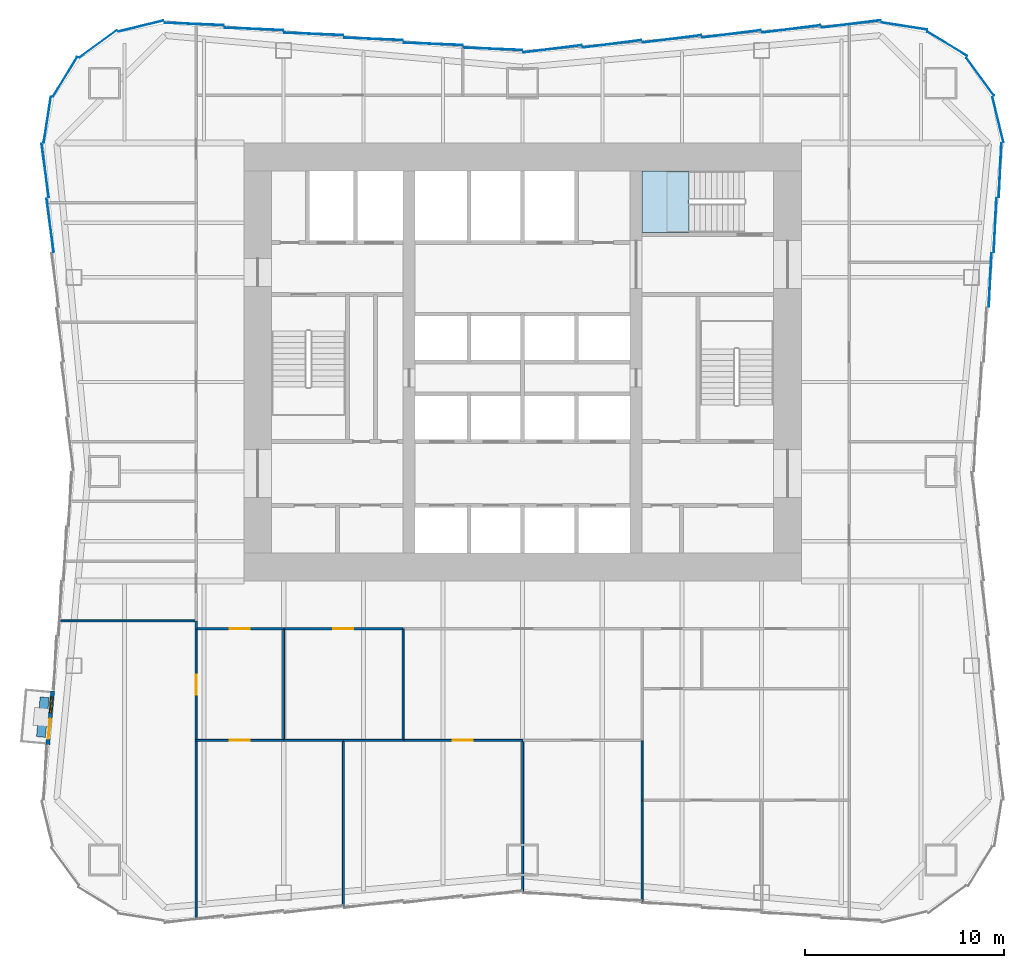
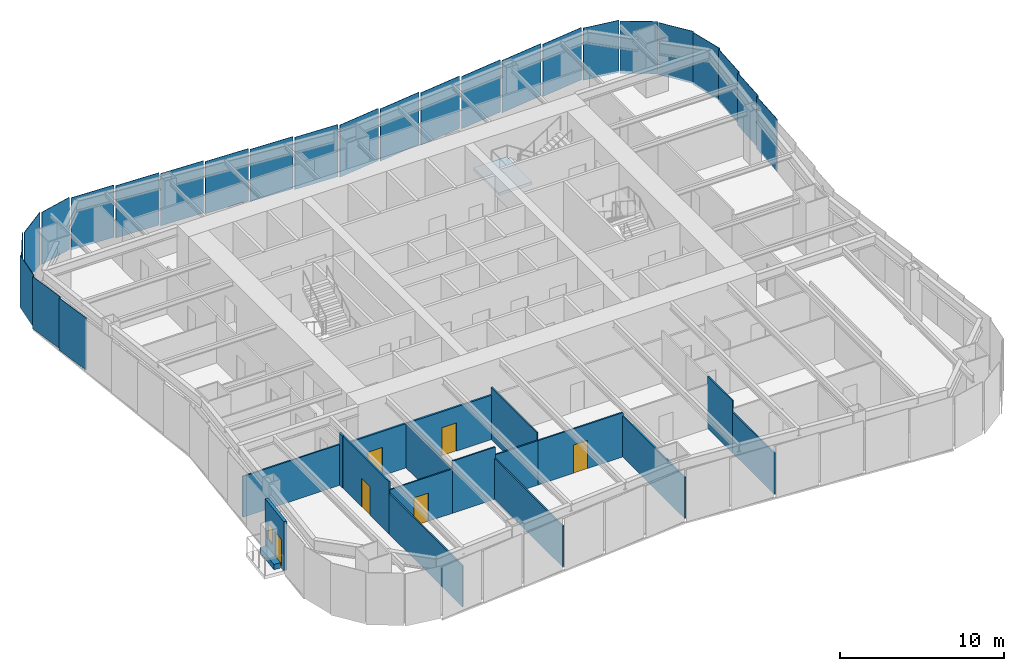
# One storey, part 3 of 8: 25 plates, 18 walls, 6 doors, 1 slab, 1 window, 7 openings, 6 elements without a shape of their own.
"""IFC4 building model written with IfcOpenShell, lengths in metres."""

from ifc_helpers import new_model, si_unit, direction, frame, frame_2d, origin, origin_2d, place, context, subcontext, project, spatial, polyline, rectangle, outline, extrude, material, layer, layer_set, type_object, element, fill, aggregate, save


model = new_model("IFC4")

# Units and contexts
model_context = context("Model", 3, precision=1e-05, world=origin(), true_north=direction((0.0, 1.0)))
body_context = subcontext(model_context, "Body", "Model", "MODEL_VIEW")
ifc_project = project(units=[si_unit("LENGTHUNIT", "METRE"), si_unit("AREAUNIT", "SQUARE_METRE"), si_unit("VOLUMEUNIT", "CUBIC_METRE"), si_unit("PLANEANGLEUNIT", "RADIAN"), si_unit("MASSUNIT", "GRAM", prefix="KILO")], contexts=[model_context])

# Site, building, storey
site_placement = place(None, origin())
site = spatial("IfcSite", under=ifc_project, at=site_placement, CompositionType="ELEMENT")
building_placement = place(site_placement, origin())
building = spatial("IfcBuilding", under=site, at=building_placement, Name="Verdant Reach Tower", CompositionType="ELEMENT")
storey_placement = place(building_placement, frame((0.0, 0.0, 22.0)))
storey = spatial("IfcBuildingStorey", under=building, at=storey_placement, Name="L04", CompositionType="ELEMENT", Elevation=22.0)

# Stair, slab
ifc_material_1 = material(Name="Concrete C40/50", Category="concrete")
stair_type = type_object("IfcStairType", Name="CO-STAIR", PredefinedType="HALF_TURN_STAIR", material=ifc_material_1)
stair_placement = place(storey_placement, origin())
stair = element("IfcStair", 1, at=stair_placement, inside=storey, type_object=stair_type, Name="L04 Exit stair 3", PredefinedType="HALF_TURN_STAIR")
ifc_layer_1 = layer(ifc_material_1, 0.199951171875)
ifc_layer_set_1 = layer_set([ifc_layer_1], Name="CO-STAIR-LANDING")
slab_type = type_object("IfcSlabType", Name="CO-STAIR-LANDING", PredefinedType="LANDING", material=ifc_layer_set_1)
slab_placement = place(storey_placement, frame((0.0, 0.0, 1.800048828125)))
slab = element("IfcSlab", 2, at=slab_placement, type_object=slab_type, Name="ST-3 landing 1", PredefinedType="LANDING", context=body_context, shape_type="SweptSolid", body=[
    extrude(outline(polyline([(8.35009765625, 37.60009765625), (6.0, 37.60009765625), (6.0, 34.5), (8.35009765625, 34.5), (8.35009765625, 37.60009765625)])), origin(), (0.0, 0.0, 1.0), 0.199951171875),
])
aggregate(stair, [slab])

# Curtain wall, plate
ifc_material_2 = material(Name="Anodised aluminium", Category="aluminium")
curtain_wall_type = type_object("IfcCurtainWallType", Name="EN-CW SYSTEM Z0", PredefinedType="NOTDEFINED", material=ifc_material_2)
curtain_wall_1_placement = place(storey_placement, origin())
curtain_wall_1 = element("IfcCurtainWall", 3, at=curtain_wall_1_placement, inside=storey, type_object=curtain_wall_type, Name="Curtain wall east, L04", PredefinedType="NOTDEFINED")
ifc_material_3 = material(Name="Tinted glass with champagne spandrel", Category="glass")
ifc_layer_2 = layer(ifc_material_3, 0.031982421875)
ifc_layer_set_2 = layer_set([ifc_layer_2], Name="EN-PANEL CHAMPAGNE")
plate_type_1 = type_object("IfcPlateType", Name="EN-PANEL CHAMPAGNE", PredefinedType="CURTAIN_PANEL", material=ifc_layer_set_2)
plate_1_placement = place(storey_placement, frame((23.474609375, 32.115966796875, -0.22998046875), z_axis=(0.0, 0.0, 1.0), x_axis=(0.04875265175, 0.998810882473, 0.0)))
plate_1 = element("IfcPlate", 4, at=plate_1_placement, type_object=plate_type_1, Name="Glass panel east face part 2 4.1, L04", PredefinedType="CURTAIN_PANEL", context=body_context, shape_type="SweptSolid", body=[
    extrude(rectangle(XDim=2.705322265625, YDim=0.031982421875, at=origin_2d()), origin(), (0.0, 0.0, 1.0), 3.8798828125),
])

# Curtain wall, plates
curtain_wall_2_placement = place(storey_placement, origin())
curtain_wall_2 = element("IfcCurtainWall", 5, at=curtain_wall_2_placement, inside=storey, type_object=curtain_wall_type, Name="Curtain wall north-east corner, L04", PredefinedType="NOTDEFINED")
plate_2_placement = place(storey_placement, frame((23.86767578125, 40.169921875, -0.22998046875), z_axis=(0.0, 0.0, 1.0), x_axis=(-0.236346786246, 0.97166876899, 0.0)))
plate_2 = element("IfcPlate", 6, at=plate_2_placement, type_object=plate_type_1, Name="Glass panel north-east corner 1.1, L04", PredefinedType="CURTAIN_PANEL", context=body_context, shape_type="SweptSolid", body=[
    extrude(rectangle(XDim=2.31884765625, YDim=0.031982421875, at=origin_2d()), origin(), (0.0, 0.0, 1.0), 3.8798828125),
])
plate_3_placement = place(storey_placement, frame((22.974609375, 42.32373046875, -0.22998046875), z_axis=(0.0, 0.0, 1.0), x_axis=(-0.589926778461, 0.807456745624, 0.0)))
plate_3 = element("IfcPlate", 7, at=plate_3_placement, type_object=plate_type_1, Name="Glass panel north-east corner 2.1, L04", PredefinedType="CURTAIN_PANEL", context=body_context, shape_type="SweptSolid", body=[
    extrude(rectangle(XDim=2.32421875, YDim=0.031982421875, at=origin_2d()), origin(), (0.0, 0.0, 1.0), 3.8798828125),
])
plate_4_placement = place(storey_placement, frame((21.32373046875, 43.974609375, -0.22998046875), z_axis=(0.0, 0.0, 1.0), x_axis=(-0.853988681713, 0.520291583159, 0.0)))
plate_4 = element("IfcPlate", 8, at=plate_4_placement, type_object=plate_type_1, Name="Glass panel north-east corner 3.1, L04", PredefinedType="CURTAIN_PANEL", context=body_context, shape_type="SweptSolid", body=[
    extrude(rectangle(XDim=2.32421875, YDim=0.031982421875, at=origin_2d()), origin(), (0.0, 0.0, 1.0), 3.8798828125),
])

curtain_wall_3_placement = place(storey_placement, origin())
curtain_wall_3 = element("IfcCurtainWall", 9, at=curtain_wall_3_placement, inside=storey, type_object=curtain_wall_type, Name="Curtain wall north, L04", PredefinedType="NOTDEFINED")
plate_5_placement = place(storey_placement, frame((16.498779296875, 44.974853515625, -0.22998046875), z_axis=(0.0, 0.0, 1.0), x_axis=(-0.992234176789, -0.124383835008, 0.0)))
plate_5 = element("IfcPlate", 10, at=plate_5_placement, type_object=plate_type_1, Name="Glass panel north face part 1 1.1, L04", PredefinedType="CURTAIN_PANEL", context=body_context, shape_type="SweptSolid", body=[
    extrude(rectangle(XDim=2.96826171875, YDim=0.031982421875, at=origin_2d()), origin(), (0.0, 0.0, 1.0), 3.8798828125),
])
plate_6_placement = place(storey_placement, frame((-1.495849609375, 43.724853515625, -0.22998046875), z_axis=(0.0, 0.0, 1.0), x_axis=(-0.999144450138, 0.041356592674, 0.0)))
plate_6 = element("IfcPlate", 11, at=plate_6_placement, type_object=plate_type_1, Name="Glass panel north face part 2 1.1, L04", PredefinedType="CURTAIN_PANEL", context=body_context, shape_type="SweptSolid", body=[
    extrude(rectangle(XDim=2.946044921875, YDim=0.031982421875, at=origin_2d()), origin(), (0.0, 0.0, 1.0), 3.8798828125),
])
plate_7_placement = place(storey_placement, frame((-4.49169921875, 43.974609375, -0.22998046875), z_axis=(0.0, 0.0, 1.0), x_axis=(-0.999149202059, 0.041241629766, 0.0)))
plate_7 = element("IfcPlate", 12, at=plate_7_placement, type_object=plate_type_1, Name="Glass panel north face part 2 2.1, L04", PredefinedType="CURTAIN_PANEL", context=body_context, shape_type="SweptSolid", body=[
    extrude(rectangle(XDim=2.954345703125, YDim=0.031982421875, at=origin_2d()), origin(), (0.0, 0.0, 1.0), 3.8798828125),
])

# Curtain wall, plate
curtain_wall_4_placement = place(storey_placement, origin())
curtain_wall_4 = element("IfcCurtainWall", 13, at=curtain_wall_4_placement, inside=storey, type_object=curtain_wall_type, Name="Curtain wall north-west corner, L04", PredefinedType="NOTDEFINED")
plate_8_placement = place(storey_placement, frame((-19.169921875, 44.86767578125, -0.22998046875), z_axis=(0.0, 0.0, 1.0), x_axis=(-0.97166347331, -0.236368556782, 0.0)))
plate_8 = element("IfcPlate", 14, at=plate_8_placement, type_object=plate_type_1, Name="Glass panel north-west corner 1.1, L04", PredefinedType="CURTAIN_PANEL", context=body_context, shape_type="SweptSolid", body=[
    extrude(rectangle(XDim=2.318603515625, YDim=0.031982421875, at=origin_2d()), origin(), (0.0, 0.0, 1.0), 3.8798828125),
])

# Plate
ifc_material_4 = material(Name="Tinted glass with copper spandrel", Category="glass")
ifc_layer_3 = layer(ifc_material_4, 0.031982421875)
ifc_layer_set_3 = layer_set([ifc_layer_3], Name="EN-PANEL COPPER")
plate_type_2 = type_object("IfcPlateType", Name="EN-PANEL COPPER", PredefinedType="CURTAIN_PANEL", material=ifc_layer_set_3)
plate_9_placement = place(storey_placement, frame((23.724609375, 34.865966796875, -0.22998046875), z_axis=(0.0, 0.0, 1.0), x_axis=(0.04875265175, 0.998810882473, 0.0)))
plate_9 = element("IfcPlate", 15, at=plate_9_placement, type_object=plate_type_2, Name="Glass panel east face part 2 5.1, L04", PredefinedType="CURTAIN_PANEL", context=body_context, shape_type="SweptSolid", body=[
    extrude(rectangle(XDim=2.705322265625, YDim=0.031982421875, at=origin_2d()), origin(), (0.0, 0.0, 1.0), 3.8798828125),
])

plate_10_placement = place(storey_placement, frame((23.974609375, 37.623046875, -0.22998046875), z_axis=(0.0, 0.0, 1.0), x_axis=(0.048382779248, 0.998828867561, 0.0)))
plate_10 = element("IfcPlate", 16, at=plate_10_placement, type_object=plate_type_2, Name="Glass panel east face part 2 6.1, L04", PredefinedType="CURTAIN_PANEL", context=body_context, shape_type="SweptSolid", body=[
    extrude(rectangle(XDim=2.7197265625, YDim=0.031982421875, at=origin_2d()), origin(), (0.0, 0.0, 1.0), 3.8798828125),
])

aggregate(curtain_wall_1, [plate_1, plate_9, plate_10])

plate_11_placement = place(storey_placement, frame((19.169921875, 44.86767578125, -0.22998046875), z_axis=(0.0, 0.0, 1.0), x_axis=(-0.98803452381, 0.154232875093, 0.0)))
plate_11 = element("IfcPlate", 17, at=plate_11_placement, type_object=plate_type_2, Name="Glass panel north-east corner 4.1, L04", PredefinedType="CURTAIN_PANEL", context=body_context, shape_type="SweptSolid", body=[
    extrude(rectangle(XDim=2.318603515625, YDim=0.031982421875, at=origin_2d()), origin(), (0.0, 0.0, 1.0), 3.8798828125),
])

aggregate(curtain_wall_2, [plate_2, plate_3, plate_4, plate_11])

plate_12_placement = place(storey_placement, frame((13.49169921875, 44.724609375, -0.22998046875), z_axis=(0.0, 0.0, 1.0), x_axis=(-0.992194034542, -0.124703639961, 0.0)))
plate_12 = element("IfcPlate", 18, at=plate_12_placement, type_object=plate_type_2, Name="Glass panel north face part 1 2.1, L04", PredefinedType="CURTAIN_PANEL", context=body_context, shape_type="SweptSolid", body=[
    extrude(rectangle(XDim=2.954345703125, YDim=0.031982421875, at=origin_2d()), origin(), (0.0, 0.0, 1.0), 3.8798828125),
])

plate_13_placement = place(storey_placement, frame((10.49169921875, 44.474609375, -0.22998046875), z_axis=(0.0, 0.0, 1.0), x_axis=(-0.992194034542, -0.124703639961, 0.0)))
plate_13 = element("IfcPlate", 19, at=plate_13_placement, type_object=plate_type_2, Name="Glass panel north face part 1 3.1, L04", PredefinedType="CURTAIN_PANEL", context=body_context, shape_type="SweptSolid", body=[
    extrude(rectangle(XDim=2.954345703125, YDim=0.031982421875, at=origin_2d()), origin(), (0.0, 0.0, 1.0), 3.8798828125),
])

plate_14_placement = place(storey_placement, frame((-7.49169921875, 44.224609375, -0.22998046875), z_axis=(0.0, 0.0, 1.0), x_axis=(-0.999149202059, 0.041241629766, 0.0)))
plate_14 = element("IfcPlate", 20, at=plate_14_placement, type_object=plate_type_2, Name="Glass panel north face part 2 3.1, L04", PredefinedType="CURTAIN_PANEL", context=body_context, shape_type="SweptSolid", body=[
    extrude(rectangle(XDim=2.954345703125, YDim=0.031982421875, at=origin_2d()), origin(), (0.0, 0.0, 1.0), 3.8798828125),
])

plate_15_placement = place(storey_placement, frame((-10.49169921875, 44.474609375, -0.22998046875), z_axis=(0.0, 0.0, 1.0), x_axis=(-0.999149202059, 0.041241629766, 0.0)))
plate_15 = element("IfcPlate", 21, at=plate_15_placement, type_object=plate_type_2, Name="Glass panel north face part 2 4.1, L04", PredefinedType="CURTAIN_PANEL", context=body_context, shape_type="SweptSolid", body=[
    extrude(rectangle(XDim=2.954345703125, YDim=0.031982421875, at=origin_2d()), origin(), (0.0, 0.0, 1.0), 3.8798828125),
])

plate_16_placement = place(storey_placement, frame((-13.49169921875, 44.724609375, -0.22998046875), z_axis=(0.0, 0.0, 1.0), x_axis=(-0.999149202059, 0.041241629766, 0.0)))
plate_16 = element("IfcPlate", 22, at=plate_16_placement, type_object=plate_type_2, Name="Glass panel north face part 2 5.1, L04", PredefinedType="CURTAIN_PANEL", context=body_context, shape_type="SweptSolid", body=[
    extrude(rectangle(XDim=2.954345703125, YDim=0.031982421875, at=origin_2d()), origin(), (0.0, 0.0, 1.0), 3.8798828125),
])

plate_17_placement = place(storey_placement, frame((-21.32373046875, 43.974609375, -0.22998046875), z_axis=(0.0, 0.0, 1.0), x_axis=(-0.807456745624, -0.589926778461, 0.0)))
plate_17 = element("IfcPlate", 23, at=plate_17_placement, type_object=plate_type_2, Name="Glass panel north-west corner 2.1, L04", PredefinedType="CURTAIN_PANEL", context=body_context, shape_type="SweptSolid", body=[
    extrude(rectangle(XDim=2.32421875, YDim=0.031982421875, at=origin_2d()), origin(), (0.0, 0.0, 1.0), 3.8798828125),
])

plate_18_placement = place(storey_placement, frame((-22.974609375, 42.32373046875, -0.22998046875), z_axis=(0.0, 0.0, 1.0), x_axis=(-0.520291583159, -0.853988681713, 0.0)))
plate_18 = element("IfcPlate", 24, at=plate_18_placement, type_object=plate_type_2, Name="Glass panel north-west corner 3.1, L04", PredefinedType="CURTAIN_PANEL", context=body_context, shape_type="SweptSolid", body=[
    extrude(rectangle(XDim=2.32421875, YDim=0.031982421875, at=origin_2d()), origin(), (0.0, 0.0, 1.0), 3.8798828125),
])

# Curtain wall, plates
curtain_wall_5_placement = place(storey_placement, origin())
curtain_wall_5 = element("IfcCurtainWall", 25, at=curtain_wall_5_placement, inside=storey, type_object=curtain_wall_type, Name="Curtain wall west, L04", PredefinedType="NOTDEFINED")
plate_19_placement = place(storey_placement, frame((-23.974609375, 37.623046875, -0.22998046875), z_axis=(0.0, 0.0, 1.0), x_axis=(0.131792939527, -0.991277267514, 0.0)))
plate_19 = element("IfcPlate", 26, at=plate_19_placement, type_object=plate_type_2, Name="Glass panel west face part 1 1.1, L04", PredefinedType="CURTAIN_PANEL", context=body_context, shape_type="SweptSolid", body=[
    extrude(rectangle(XDim=2.7197265625, YDim=0.031982421875, at=origin_2d()), origin(), (0.0, 0.0, 1.0), 3.8798828125),
])
plate_20_placement = place(storey_placement, frame((-23.724609375, 34.865966796875, -0.22998046875), z_axis=(0.0, 0.0, 1.0), x_axis=(0.132160009881, -0.99122839537, 0.0)))
plate_20 = element("IfcPlate", 27, at=plate_20_placement, type_object=plate_type_2, Name="Glass panel west face part 1 2.1, L04", PredefinedType="CURTAIN_PANEL", context=body_context, shape_type="SweptSolid", body=[
    extrude(rectangle(XDim=2.705322265625, YDim=0.031982421875, at=origin_2d()), origin(), (0.0, 0.0, 1.0), 3.8798828125),
])
aggregate(curtain_wall_5, [plate_19, plate_20])

# Plate
ifc_material_5 = material(Name="Tinted glass with dark bronze spandrel", Category="glass")
ifc_layer_4 = layer(ifc_material_5, 0.031982421875)
ifc_layer_set_4 = layer_set([ifc_layer_4], Name="EN-PANEL DARK")
plate_type_3 = type_object("IfcPlateType", Name="EN-PANEL DARK", PredefinedType="CURTAIN_PANEL", material=ifc_layer_set_4)
plate_21_placement = place(storey_placement, frame((7.49169921875, 44.224609375, -0.22998046875), z_axis=(0.0, 0.0, 1.0), x_axis=(-0.992194034542, -0.124703639961, 0.0)))
plate_21 = element("IfcPlate", 28, at=plate_21_placement, type_object=plate_type_3, Name="Glass panel north face part 1 4.1, L04", PredefinedType="CURTAIN_PANEL", context=body_context, shape_type="SweptSolid", body=[
    extrude(rectangle(XDim=2.954345703125, YDim=0.031982421875, at=origin_2d()), origin(), (0.0, 0.0, 1.0), 3.8798828125),
])

plate_22_placement = place(storey_placement, frame((4.49169921875, 43.974609375, -0.22998046875), z_axis=(0.0, 0.0, 1.0), x_axis=(-0.992194034542, -0.124703639961, 0.0)))
plate_22 = element("IfcPlate", 29, at=plate_22_placement, type_object=plate_type_3, Name="Glass panel north face part 1 5.1, L04", PredefinedType="CURTAIN_PANEL", context=body_context, shape_type="SweptSolid", body=[
    extrude(rectangle(XDim=2.954345703125, YDim=0.031982421875, at=origin_2d()), origin(), (0.0, 0.0, 1.0), 3.8798828125),
])

plate_23_placement = place(storey_placement, frame((1.495849609375, 43.724853515625, -0.22998046875), z_axis=(0.0, 0.0, 1.0), x_axis=(-0.992179679439, -0.124817802047, 0.0)))
plate_23 = element("IfcPlate", 30, at=plate_23_placement, type_object=plate_type_3, Name="Glass panel north face part 1 6.1, L04", PredefinedType="CURTAIN_PANEL", context=body_context, shape_type="SweptSolid", body=[
    extrude(rectangle(XDim=2.946044921875, YDim=0.031982421875, at=origin_2d()), origin(), (0.0, 0.0, 1.0), 3.8798828125),
])

plate_24_placement = place(storey_placement, frame((-16.498779296875, 44.974853515625, -0.22998046875), z_axis=(0.0, 0.0, 1.0), x_axis=(-0.999162442933, 0.040919587398, 0.0)))
plate_24 = element("IfcPlate", 31, at=plate_24_placement, type_object=plate_type_3, Name="Glass panel north face part 2 6.1, L04", PredefinedType="CURTAIN_PANEL", context=body_context, shape_type="SweptSolid", body=[
    extrude(rectangle(XDim=2.96826171875, YDim=0.031982421875, at=origin_2d()), origin(), (0.0, 0.0, 1.0), 3.8798828125),
])

aggregate(curtain_wall_3, [plate_5, plate_12, plate_13, plate_21, plate_22, plate_23, plate_6, plate_7, plate_14, plate_15, plate_16, plate_24])

plate_25_placement = place(storey_placement, frame((-23.86767578125, 40.169921875, -0.22998046875), z_axis=(0.0, 0.0, 1.0), x_axis=(-0.154210737778, -0.988037979206, 0.0)))
plate_25 = element("IfcPlate", 32, at=plate_25_placement, type_object=plate_type_3, Name="Glass panel north-west corner 4.1, L04", PredefinedType="CURTAIN_PANEL", context=body_context, shape_type="SweptSolid", body=[
    extrude(rectangle(XDim=2.31884765625, YDim=0.031982421875, at=origin_2d()), origin(), (0.0, 0.0, 1.0), 3.8798828125),
])

aggregate(curtain_wall_4, [plate_8, plate_17, plate_18, plate_25])

# Wall, openings, door, window
ifc_material_6 = material(Name="Insulated bronze aluminium panel wall", Category="aluminium")
ifc_layer_5 = layer(ifc_material_6, 0.219970703125)
ifc_layer_set_5 = layer_set([ifc_layer_5], Name="EN-INFILL WALL")
wall_type_1 = type_object("IfcWallType", Name="EN-INFILL WALL", PredefinedType="SOLIDWALL", material=ifc_layer_set_5)
wall_1_placement = place(storey_placement, frame((-23.602294921875, 11.479248046875, 0.0), z_axis=(0.0, 0.0, 1.0), x_axis=(-0.090552042494, -0.995891724838, 0.0)))
wall_1 = element("IfcWall", 33, at=wall_1_placement, inside=storey, type_object=wall_type_1, Name="External infill wall, balcony bay 1, L04", PredefinedType="SOLIDWALL", context=body_context, shape_type="SweptSolid", body=[
    extrude(rectangle(XDim=2.701416015625, YDim=0.199951171875, at=frame_2d((1.3505859375, 0.0))), origin(), (0.0, 0.0, 1.0), 3.64990234375),
])
opening_1_placement = place(wall_1_placement, frame((1.40087890625, 0.0, 0.0)))
opening_1 = element("IfcOpeningElement", 34, at=opening_1_placement, cuts=wall_1, Name="Opening BD1", PredefinedType="OPENING", context=body_context, shape_type="SweptSolid", body=[
    extrude(rectangle(XDim=1.0, YDim=2.10009765625, at=frame_2d((0.5, 1.050048828125))), frame((0.0, 0.10986328125, 0.0), z_axis=(0.0, -1.0, 0.0), x_axis=(1.0, 0.0, 0.0)), (0.0, 0.0, 1.0), 0.219970703125),
])
opening_2_placement = place(wall_1_placement, frame((0.30029296875, 0.0, 0.89990234375)))
opening_2 = element("IfcOpeningElement", 35, at=opening_2_placement, cuts=wall_1, Name="Opening BW1", PredefinedType="OPENING", context=body_context, shape_type="SweptSolid", body=[
    extrude(rectangle(XDim=0.800048828125, YDim=1.199951171875, at=frame_2d((0.39990234375, 0.60009765625))), frame((0.0, 0.10986328125, 0.0), z_axis=(0.0, -1.0, 0.0), x_axis=(1.0, 0.0, 0.0)), (0.0, 0.0, 1.0), 0.219970703125),
])
ifc_material_7 = material(Name="Aluminium framed glazed door", Category="aluminium")
door_type_1 = type_object("IfcDoorType", Name="EN-DOOR BALCONY", OperationType="NOTDEFINED", PredefinedType="DOOR", material=ifc_material_7)
door_1_placement = place(opening_1_placement, origin())
door_1 = element("IfcDoor", 36, at=door_1_placement, inside=storey, type_object=door_type_1, Name="Balcony door 1, L04", OperationType="SINGLE_SWING_RIGHT", OverallHeight=2.10009765625, OverallWidth=1.0, PredefinedType="DOOR", context=body_context, shape_type="SweptSolid", body=[
    extrude(rectangle(XDim=1.0, YDim=2.10009765625, at=frame_2d((0.5, 1.050048828125))), frame((0.0, 0.02490234375, 0.0), z_axis=(0.0, -1.0, 0.0), x_axis=(1.0, 0.0, 0.0)), (0.0, 0.0, 1.0), 0.050048828125),
])
fill(opening_1, door_1)
ifc_material_8 = material(Name="Aluminium framed glazing", Category="aluminium")
window_type = type_object("IfcWindowType", Name="EN-WINDOW BALCONY", PartitioningType="SINGLE_PANEL", PredefinedType="WINDOW", material=ifc_material_8)
window_placement = place(opening_2_placement, origin())
window = element("IfcWindow", 37, at=window_placement, inside=storey, type_object=window_type, Name="Balcony window 1, L04", OverallHeight=1.199951171875, OverallWidth=0.800048828125, PartitioningType="SINGLE_PANEL", PredefinedType="WINDOW", context=body_context, shape_type="SweptSolid", body=[
    extrude(rectangle(XDim=0.800048828125, YDim=1.199951171875, at=frame_2d((0.39990234375, 0.60009765625))), frame((0.0, 0.030029296875, 0.0), z_axis=(0.0, -1.0, 0.0), x_axis=(1.0, 0.0, 0.0)), (0.0, 0.0, 1.0), 0.06005859375),
])
fill(opening_2, window)

# Walls
ifc_material_9 = material(Name="Precast concrete C30/37", Category="concrete")
ifc_layer_6 = layer(ifc_material_9, 0.449951171875)
ifc_layer_set_6 = layer_set([ifc_layer_6], Name="EN-PLANTER")
wall_type_2 = type_object("IfcWallType", Name="EN-PLANTER", PredefinedType="USERDEFINED", material=ifc_layer_set_6)
wall_2_placement = place(storey_placement, frame((-24.007568359375, 11.16455078125, 0.0), z_axis=(0.0, 0.0, 1.0), x_axis=(-0.090513748512, -0.995895205998, 0.0)))
element("IfcWall", 38, at=wall_2_placement, inside=storey, type_object=wall_type_2, Name="Balcony planter 1, L04", ObjectType="PLANTER", PredefinedType="USERDEFINED", context=body_context, shape_type="SweptSolid", body=[
    extrude(rectangle(XDim=2.00146484375, YDim=0.449951171875, at=frame_2d((1.000732421875, 0.0))), origin(), (0.0, 0.0, 1.0), 0.39990234375),
])
ifc_material_10 = material(Name="Gypsum board on steel studs", Category="steel")
ifc_layer_7 = layer(ifc_material_10, 0.10009765625)
ifc_layer_set_7 = layer_set([ifc_layer_7], Name="FL-W1 Partition 100")
wall_type_3 = type_object("IfcWallType", Name="FL-W1 Partition 100", PredefinedType="PARTITIONING", material=ifc_layer_set_7)
wall_3_placement = place(storey_placement, frame((-12.0, 9.0, 0.0), z_axis=(0.0, 0.0, 1.0), x_axis=(0.0, 1.0, 0.0)))
element("IfcWall", 39, at=wall_3_placement, inside=storey, type_object=wall_type_3, Name="Partition 04.18", PredefinedType="PARTITIONING", context=body_context, shape_type="SweptSolid", body=[
    extrude(rectangle(XDim=5.60009765625, YDim=0.10009765625, at=frame_2d((2.800048828125, 0.0))), origin(), (0.0, 0.0, 1.0), 3.2900390625),
])

# Wall, opening, door
wall_4_placement = place(storey_placement, frame((-11.99609375, 9.0, 0.0), z_axis=(0.0, 0.0, 1.0), x_axis=(-1.0, 0.0, 0.0)))
wall_4 = element("IfcWall", 40, at=wall_4_placement, inside=storey, type_object=wall_type_3, Name="Partition 04.19", PredefinedType="PARTITIONING", context=body_context, shape_type="SweptSolid", body=[
    extrude(rectangle(XDim=4.40380859375, YDim=0.10009765625, at=frame_2d((2.201904296875, 0.0))), origin(), (0.0, 0.0, 1.0), 3.2900390625),
])
opening_3_placement = place(wall_4_placement, frame((1.701904296875, 0.0, 0.0)))
opening_3 = element("IfcOpeningElement", 41, at=opening_3_placement, cuts=wall_4, Name="Opening D3", PredefinedType="OPENING", context=body_context, shape_type="SweptSolid", body=[
    extrude(rectangle(XDim=1.0, YDim=2.10009765625, at=frame_2d((0.5, 1.050048828125))), frame((0.0, 0.06005859375, 0.0), z_axis=(0.0, -1.0, 0.0), x_axis=(1.0, 0.0, 0.0)), (0.0, 0.0, 1.0), 0.1201171875),
])
ifc_material_11 = material(Name="Painted timber door leaf", Category="wood")
door_type_2 = type_object("IfcDoorType", Name="FL-D3 Door 1000x2100", OperationType="NOTDEFINED", PredefinedType="DOOR", material=ifc_material_11)
door_2_placement = place(opening_3_placement, origin())
door_2 = element("IfcDoor", 42, at=door_2_placement, inside=storey, type_object=door_type_2, Name="Door 04-017", OperationType="SINGLE_SWING_LEFT", OverallHeight=2.10009765625, OverallWidth=1.0, PredefinedType="DOOR", context=body_context, shape_type="SweptSolid", body=[
    extrude(rectangle(XDim=1.0, YDim=2.10009765625, at=frame_2d((0.5, 1.050048828125))), frame((0.0, 0.02490234375, 0.0), z_axis=(0.0, -1.0, 0.0), x_axis=(1.0, 0.0, 0.0)), (0.0, 0.0, 1.0), 0.050048828125),
])
fill(opening_3, door_2)

wall_5_placement = place(storey_placement, frame((-16.39990234375, 8.99609375, 0.0), z_axis=(0.0, 0.0, 1.0), x_axis=(0.0, 1.0, 0.0)))
wall_5 = element("IfcWall", 43, at=wall_5_placement, inside=storey, type_object=wall_type_3, Name="Partition 04.20", PredefinedType="PARTITIONING", context=body_context, shape_type="SweptSolid", body=[
    extrude(rectangle(XDim=5.60791015625, YDim=0.10009765625, at=frame_2d((2.803955078125, 0.0))), origin(), (0.0, 0.0, 1.0), 3.8701171875),
])
opening_4_placement = place(wall_5_placement, frame((2.303955078125, 0.0, 0.0)))
opening_4 = element("IfcOpeningElement", 44, at=opening_4_placement, cuts=wall_5, Name="Opening D3", PredefinedType="OPENING", context=body_context, shape_type="SweptSolid", body=[
    extrude(rectangle(XDim=1.0, YDim=2.10009765625, at=frame_2d((0.5, 1.050048828125))), frame((0.0, 0.06005859375, 0.0), z_axis=(0.0, -1.0, 0.0), x_axis=(1.0, 0.0, 0.0)), (0.0, 0.0, 1.0), 0.1201171875),
])
door_3_placement = place(opening_4_placement, origin())
door_3 = element("IfcDoor", 45, at=door_3_placement, inside=storey, type_object=door_type_2, Name="Door 04-018", OperationType="SINGLE_SWING_RIGHT", OverallHeight=2.10009765625, OverallWidth=1.0, PredefinedType="DOOR", context=body_context, shape_type="SweptSolid", body=[
    extrude(rectangle(XDim=1.0, YDim=2.10009765625, at=frame_2d((0.5, 1.050048828125))), frame((0.0, 0.02490234375, 0.0), z_axis=(0.0, -1.0, 0.0), x_axis=(1.0, 0.0, 0.0)), (0.0, 0.0, 1.0), 0.050048828125),
])
fill(opening_4, door_3)

# Walls
wall_6_placement = place(storey_placement, frame((-6.0, 9.0, 0.0), z_axis=(0.0, 0.0, 1.0), x_axis=(0.0, 1.0, 0.0)))
element("IfcWall", 46, at=wall_6_placement, inside=storey, type_object=wall_type_3, Name="Partition 04.21", PredefinedType="PARTITIONING", context=body_context, shape_type="SweptSolid", body=[
    extrude(rectangle(XDim=5.60009765625, YDim=0.10009765625, at=frame_2d((2.800048828125, 0.0))), origin(), (0.0, 0.0, 1.0), 3.8701171875),
])
wall_7_placement = place(storey_placement, frame((-12.00390625, 9.0, 0.0), z_axis=(0.0, 0.0, 1.0), x_axis=(1.0, 0.0, 0.0)))
element("IfcWall", 47, at=wall_7_placement, inside=storey, type_object=wall_type_3, Name="Partition 04.22", PredefinedType="PARTITIONING", context=body_context, shape_type="SweptSolid", body=[
    extrude(rectangle(XDim=3.00390625, YDim=0.10009765625, at=frame_2d((1.501953125, 0.0))), origin(), (0.0, 0.0, 1.0), 3.8701171875),
])
wall_8_placement = place(storey_placement, frame((-9.0, 9.0, 0.0), z_axis=(0.0, 0.0, 1.0), x_axis=(1.0, 0.0, 0.0)))
element("IfcWall", 48, at=wall_8_placement, inside=storey, type_object=wall_type_3, Name="Partition 04.23", PredefinedType="PARTITIONING", context=body_context, shape_type="SweptSolid", body=[
    extrude(rectangle(XDim=3.00390625, YDim=0.10009765625, at=frame_2d((1.501953125, 0.0))), origin(), (0.0, 0.0, 1.0), 3.2900390625),
])

# Wall, opening, door
wall_9_placement = place(storey_placement, frame((0.0, 9.0, 0.0), z_axis=(0.0, 0.0, 1.0), x_axis=(-1.0, 0.0, 0.0)))
wall_9 = element("IfcWall", 49, at=wall_9_placement, inside=storey, type_object=wall_type_3, Name="Partition 04.24", PredefinedType="PARTITIONING", context=body_context, shape_type="SweptSolid", body=[
    extrude(rectangle(XDim=6.00390625, YDim=0.10009765625, at=frame_2d((3.001953125, 0.0))), origin(), (0.0, 0.0, 1.0), 3.2900390625),
])
opening_5_placement = place(wall_9_placement, frame((2.501953125, 0.0, 0.0)))
opening_5 = element("IfcOpeningElement", 50, at=opening_5_placement, cuts=wall_9, Name="Opening D3", PredefinedType="OPENING", context=body_context, shape_type="SweptSolid", body=[
    extrude(rectangle(XDim=1.0, YDim=2.10009765625, at=frame_2d((0.5, 1.050048828125))), frame((0.0, 0.06005859375, 0.0), z_axis=(0.0, -1.0, 0.0), x_axis=(1.0, 0.0, 0.0)), (0.0, 0.0, 1.0), 0.1201171875),
])
door_4_placement = place(opening_5_placement, origin())
door_4 = element("IfcDoor", 51, at=door_4_placement, inside=storey, type_object=door_type_2, Name="Door 04-019", OperationType="SINGLE_SWING_LEFT", OverallHeight=2.10009765625, OverallWidth=1.0, PredefinedType="DOOR", context=body_context, shape_type="SweptSolid", body=[
    extrude(rectangle(XDim=1.0, YDim=2.10009765625, at=frame_2d((0.5, 1.050048828125))), frame((0.0, 0.02490234375, 0.0), z_axis=(0.0, -1.0, 0.0), x_axis=(1.0, 0.0, 0.0)), (0.0, 0.0, 1.0), 0.050048828125),
])
fill(opening_5, door_4)

# Walls
wall_10_placement = place(storey_placement, frame((-9.0, 0.669921875, 0.0), z_axis=(0.0, 0.0, 1.0), x_axis=(0.0, 1.0, 0.0)))
element("IfcWall", 52, at=wall_10_placement, inside=storey, type_object=wall_type_3, Name="Partition 04.28", PredefinedType="PARTITIONING", context=body_context, shape_type="SweptSolid", body=[
    extrude(rectangle(XDim=8.330078125, YDim=0.10009765625, at=frame_2d((4.1650390625, 0.0))), origin(), (0.0, 0.0, 1.0), 3.0400390625),
])
wall_11_placement = place(storey_placement, frame((-16.39990234375, 9.00390625, 0.0), z_axis=(0.0, 0.0, 1.0), x_axis=(0.0, -1.0, 0.0)))
element("IfcWall", 53, at=wall_11_placement, inside=storey, type_object=wall_type_3, Name="Partition 04.29", PredefinedType="PARTITIONING", context=body_context, shape_type="SweptSolid", body=[
    extrude(rectangle(XDim=8.95068359375, YDim=0.10009765625, at=frame_2d((4.475341796875, 0.0))), origin(), (0.0, 0.0, 1.0), 3.0400390625),
])
wall_12_placement = place(storey_placement, frame((0.0, 1.419921875, 0.0), z_axis=(0.0, 0.0, 1.0), x_axis=(0.0, 1.0, 0.0)))
element("IfcWall", 54, at=wall_12_placement, inside=storey, type_object=wall_type_3, Name="Partition 04.30", PredefinedType="PARTITIONING", context=body_context, shape_type="SweptSolid", body=[
    extrude(rectangle(XDim=7.580078125, YDim=0.10009765625, at=frame_2d((3.7900390625, 0.0))), origin(), (0.0, 0.0, 1.0), 3.0400390625),
])
wall_13_placement = place(storey_placement, frame((6.0, 6.0, 0.0), z_axis=(0.0, 0.0, 1.0), x_axis=(0.0, 1.0, 0.0)))
element("IfcWall", 55, at=wall_13_placement, inside=storey, type_object=wall_type_3, Name="Partition 04.31", PredefinedType="PARTITIONING", context=body_context, shape_type="SweptSolid", body=[
    extrude(rectangle(XDim=3.00390625, YDim=0.10009765625, at=frame_2d((1.501953125, 0.0))), origin(), (0.0, 0.0, 1.0), 3.8701171875),
])
wall_14_placement = place(storey_placement, frame((6.0, 0.919921875, 0.0), z_axis=(0.0, 0.0, 1.0), x_axis=(0.0, 1.0, 0.0)))
element("IfcWall", 56, at=wall_14_placement, inside=storey, type_object=wall_type_3, Name="Partition 04.32", PredefinedType="PARTITIONING", context=body_context, shape_type="SweptSolid", body=[
    extrude(rectangle(XDim=5.080078125, YDim=0.10009765625, at=frame_2d((2.5400390625, 0.0))), origin(), (0.0, 0.0, 1.0), 3.0400390625),
])
wall_15_placement = place(storey_placement, frame((-16.39990234375, 15.0, 0.0), z_axis=(0.0, 0.0, 1.0), x_axis=(-1.0, 0.0, 0.0)))
element("IfcWall", 57, at=wall_15_placement, inside=storey, type_object=wall_type_3, Name="Partition 04.45", PredefinedType="PARTITIONING", context=body_context, shape_type="SweptSolid", body=[
    extrude(rectangle(XDim=6.86181640625, YDim=0.10009765625, at=frame_2d((3.430908203125, 0.0))), origin(), (0.0, 0.0, 1.0), 3.0400390625),
])

# Wall, opening, door
ifc_material_12 = material(Name="Gypsum board on steel studs, fire rated", Category="steel")
ifc_layer_8 = layer(ifc_material_12, 0.125)
ifc_layer_set_8 = layer_set([ifc_layer_8], Name="FL-W2 Corridor wall 125")
wall_type_4 = type_object("IfcWallType", Name="FL-W2 Corridor wall 125", PredefinedType="PARTITIONING", material=ifc_layer_set_8)
wall_16_placement = place(storey_placement, frame((-12.0, 14.60009765625, 0.0), z_axis=(0.0, 0.0, 1.0), x_axis=(-1.0, 0.0, 0.0)))
wall_16 = element("IfcWall", 58, at=wall_16_placement, inside=storey, type_object=wall_type_4, Name="Partition 04.01", PredefinedType="PARTITIONING", context=body_context, shape_type="SweptSolid", body=[
    extrude(rectangle(XDim=4.39990234375, YDim=0.125, at=frame_2d((2.199951171875, 0.0))), origin(), (0.0, 0.0, 1.0), 3.2900390625),
])
opening_6_placement = place(wall_16_placement, frame((1.699951171875, 0.0, 0.0)))
opening_6 = element("IfcOpeningElement", 59, at=opening_6_placement, cuts=wall_16, Name="Opening D2", PredefinedType="OPENING", context=body_context, shape_type="SweptSolid", body=[
    extrude(rectangle(XDim=1.0, YDim=2.10009765625, at=frame_2d((0.5, 1.050048828125))), frame((0.0, 0.072509765625, 0.0), z_axis=(0.0, -1.0, 0.0), x_axis=(1.0, 0.0, 0.0)), (0.0, 0.0, 1.0), 0.14501953125),
])
ifc_material_13 = material(Name="Timber door leaf, fire rated", Category="wood")
door_type_3 = type_object("IfcDoorType", Name="FL-D2 Entrance door 1000x2100 FD30", OperationType="NOTDEFINED", PredefinedType="DOOR", material=ifc_material_13)
door_5_placement = place(opening_6_placement, origin())
door_5 = element("IfcDoor", 60, at=door_5_placement, inside=storey, type_object=door_type_3, Name="Door 04-001", OperationType="SINGLE_SWING_LEFT", OverallHeight=2.10009765625, OverallWidth=1.0, PredefinedType="DOOR", context=body_context, shape_type="SweptSolid", body=[
    extrude(rectangle(XDim=1.0, YDim=2.10009765625, at=frame_2d((0.5, 1.050048828125))), frame((0.0, 0.02490234375, 0.0), z_axis=(0.0, -1.0, 0.0), x_axis=(1.0, 0.0, 0.0)), (0.0, 0.0, 1.0), 0.050048828125),
])
fill(opening_6, door_5)

wall_17_placement = place(storey_placement, frame((-6.0, 14.60009765625, 0.0), z_axis=(0.0, 0.0, 1.0), x_axis=(-1.0, 0.0, 0.0)))
wall_17 = element("IfcWall", 61, at=wall_17_placement, inside=storey, type_object=wall_type_4, Name="Partition 04.02", PredefinedType="PARTITIONING", context=body_context, shape_type="SweptSolid", body=[
    extrude(rectangle(XDim=6.0, YDim=0.125, at=frame_2d((3.0, 0.0))), origin(), (0.0, 0.0, 1.0), 3.2900390625),
])
opening_7_placement = place(wall_17_placement, frame((2.5, 0.0, 0.0)))
opening_7 = element("IfcOpeningElement", 62, at=opening_7_placement, cuts=wall_17, Name="Opening D2", PredefinedType="OPENING", context=body_context, shape_type="SweptSolid", body=[
    extrude(rectangle(XDim=1.0, YDim=2.10009765625, at=frame_2d((0.5, 1.050048828125))), frame((0.0, 0.072509765625, 0.0), z_axis=(0.0, -1.0, 0.0), x_axis=(1.0, 0.0, 0.0)), (0.0, 0.0, 1.0), 0.14501953125),
])
door_6_placement = place(opening_7_placement, origin())
door_6 = element("IfcDoor", 63, at=door_6_placement, inside=storey, type_object=door_type_3, Name="Door 04-002", OperationType="SINGLE_SWING_RIGHT", OverallHeight=2.10009765625, OverallWidth=1.0, PredefinedType="DOOR", context=body_context, shape_type="SweptSolid", body=[
    extrude(rectangle(XDim=1.0, YDim=2.10009765625, at=frame_2d((0.5, 1.050048828125))), frame((0.0, 0.02490234375, 0.0), z_axis=(0.0, -1.0, 0.0), x_axis=(1.0, 0.0, 0.0)), (0.0, 0.0, 1.0), 0.050048828125),
])
fill(opening_7, door_6)

# Wall
wall_18_placement = place(storey_placement, frame((-16.39990234375, 15.0, 0.0), z_axis=(0.0, 0.0, 1.0), x_axis=(0.0, -1.0, 0.0)))
element("IfcWall", 64, at=wall_18_placement, inside=storey, type_object=wall_type_4, Name="Partition 04.08", PredefinedType="PARTITIONING", context=body_context, shape_type="SweptSolid", body=[
    extrude(rectangle(XDim=0.404052734375, YDim=0.125, at=frame_2d((0.2021484375, 0.0))), origin(), (0.0, 0.0, 1.0), 3.8701171875),
])

save(model, "model.ifc")
